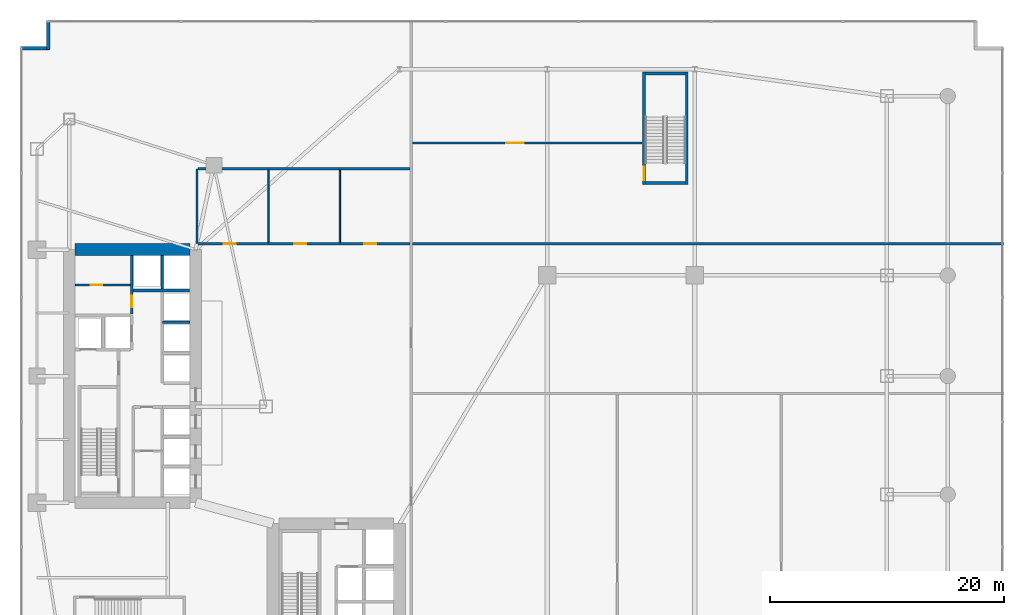
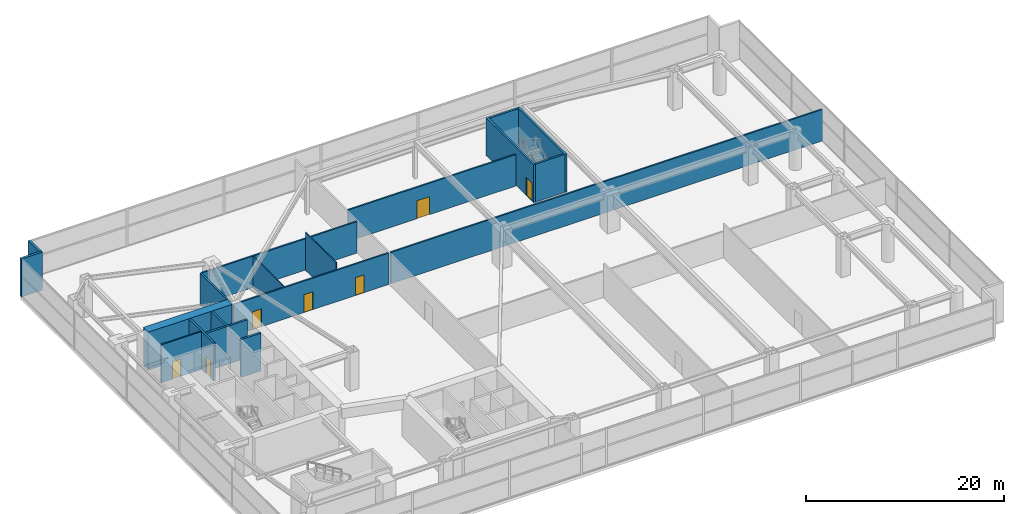
# One storey, part 32 of 35: 19 walls, 7 doors, 7 openings.
"""IFC4 building model written with IfcOpenShell, lengths in metres."""

from ifc_helpers import new_model, si_unit, direction, frame, frame_2d, origin, place, context, subcontext, project, spatial, rectangle, extrude, material, layer, layer_set, type_object, element, fill, save


model = new_model("IFC4")

# Units and contexts
model_context = context("Model", 3, precision=1e-05, world=origin(), true_north=direction((0.0, 1.0)))
body_context = subcontext(model_context, "Body", "Model", "MODEL_VIEW")
ifc_project = project(units=[si_unit("LENGTHUNIT", "METRE"), si_unit("AREAUNIT", "SQUARE_METRE"), si_unit("VOLUMEUNIT", "CUBIC_METRE"), si_unit("PLANEANGLEUNIT", "RADIAN"), si_unit("MASSUNIT", "GRAM", prefix="KILO")], contexts=[model_context])

# Site, building, storey
site_placement = place(None, origin())
site = spatial("IfcSite", under=ifc_project, at=site_placement, CompositionType="ELEMENT")
building_placement = place(site_placement, origin())
building = spatial("IfcBuilding", under=site, at=building_placement, Name="Calvorn Quay Hotel", CompositionType="ELEMENT")
storey_placement = place(building_placement, frame((0.0, 0.0, 12.0)))
storey = spatial("IfcBuildingStorey", under=building, at=storey_placement, Name="L02", CompositionType="ELEMENT", Elevation=12.0)

# Wall
ifc_material_1 = material(Name="Concrete C60", Category="concrete")
ifc_layer_1 = layer(ifc_material_1, 1.0)
ifc_layer_set_1 = layer_set([ifc_layer_1], Name="WL-CORE-1000")
wall_type_1 = type_object("IfcWallType", Name="WL-CORE-1000", PredefinedType="SHEAR", material=ifc_layer_set_1)
wall_1_placement = place(storey_placement, frame((4.699951171875, 38.39990234375, 0.0), z_axis=(0.0, 0.0, 1.0), x_axis=(1.0, 0.0, 0.0)))
element("IfcWall", 1, at=wall_1_placement, inside=storey, type_object=wall_type_1, Name="West Core Shear Wall N (L02)", PredefinedType="SHEAR", context=body_context, shape_type="SweptSolid", body=[
    extrude(rectangle(XDim=9.800048828125, YDim=1.0, at=frame_2d((4.89990234375, 0.0))), origin(), (0.0, 0.0, 1.0), 4.679931640625),
])

# Wall, openings, doors
ifc_material_2 = material(Name="Acoustic Fireboard Steel-Stud Partition", Category="steel")
ifc_layer_2 = layer(ifc_material_2, 0.179931640625)
ifc_layer_set_2 = layer_set([ifc_layer_2], Name="WL-CORR-FIRE-180")
wall_type_2 = type_object("IfcWallType", Name="WL-CORR-FIRE-180", PredefinedType="PARTITIONING", material=ifc_layer_set_2)
wall_2_placement = place(storey_placement, frame((15.199951171875, 38.89990234375, 0.0), z_axis=(0.0, 0.0, 1.0), x_axis=(1.0, 0.0, 0.0)))
wall_2 = element("IfcWall", 2, at=wall_2_placement, inside=storey, type_object=wall_type_2, Name="Partition Wall L02-WL-PWC-S", PredefinedType="PARTITIONING", context=body_context, shape_type="SweptSolid", body=[
    extrude(rectangle(XDim=18.10009765625, YDim=0.179931640625, at=frame_2d((9.050048828125, 0.0))), origin(), (0.0, 0.0, 1.0), 3.8798828125),
])
opening_1_placement = place(wall_2_placement, frame((2.199951171875, 0.0, 0.0)))
opening_1 = element("IfcOpeningElement", 3, at=opening_1_placement, cuts=wall_2, Name="Opening D-L02-WM", PredefinedType="OPENING", context=body_context, shape_type="SweptSolid", body=[
    extrude(rectangle(XDim=1.02001953125, YDim=2.199951171875, at=frame_2d((0.510009765625, 1.10009765625))), frame((0.0, 0.099853515625, 0.0), z_axis=(0.0, -1.0, 0.0), x_axis=(1.0, 0.0, 0.0)), (0.0, 0.0, 1.0), 0.199951171875),
])
opening_2_placement = place(wall_2_placement, frame((8.199951171875, 0.0, 0.0)))
opening_2 = element("IfcOpeningElement", 4, at=opening_2_placement, cuts=wall_2, Name="Opening D-L02-WF", PredefinedType="OPENING", context=body_context, shape_type="SweptSolid", body=[
    extrude(rectangle(XDim=1.02001953125, YDim=2.199951171875, at=frame_2d((0.510009765625, 1.10009765625))), frame((0.0, 0.099853515625, 0.0), z_axis=(0.0, -1.0, 0.0), x_axis=(1.0, 0.0, 0.0)), (0.0, 0.0, 1.0), 0.199951171875),
])
opening_3_placement = place(wall_2_placement, frame((14.199951171875, 0.0, 0.0)))
opening_3 = element("IfcOpeningElement", 5, at=opening_3_placement, cuts=wall_2, Name="Opening D-L02-WA", PredefinedType="OPENING", context=body_context, shape_type="SweptSolid", body=[
    extrude(rectangle(XDim=1.02001953125, YDim=2.199951171875, at=frame_2d((0.510009765625, 1.10009765625))), frame((0.0, 0.099853515625, 0.0), z_axis=(0.0, -1.0, 0.0), x_axis=(1.0, 0.0, 0.0)), (0.0, 0.0, 1.0), 0.199951171875),
])
ifc_material_3 = material(Name="Solid-Core Walnut Veneer Hotel Fire Door")
door_type_1 = type_object("IfcDoorType", Name="DR-GUEST-ENTRY-1020", OperationType="NOTDEFINED", PredefinedType="DOOR", material=ifc_material_3)
door_1_placement = place(opening_1_placement, origin())
door_1 = element("IfcDoor", 6, at=door_1_placement, inside=storey, type_object=door_type_1, Name="Male WC Door", OperationType="SINGLE_SWING_LEFT", OverallHeight=2.199951171875, OverallWidth=1.02001953125, PredefinedType="DOOR", context=body_context, shape_type="SweptSolid", body=[
    extrude(rectangle(XDim=1.02001953125, YDim=2.199951171875, at=frame_2d((0.510009765625, 1.10009765625))), frame((0.0, 0.02490234375, 0.0), z_axis=(0.0, -1.0, 0.0), x_axis=(1.0, 0.0, 0.0)), (0.0, 0.0, 1.0), 0.050048828125),
])
fill(opening_1, door_1)
door_2_placement = place(opening_2_placement, origin())
door_2 = element("IfcDoor", 7, at=door_2_placement, inside=storey, type_object=door_type_1, Name="Female WC Door", OperationType="SINGLE_SWING_RIGHT", OverallHeight=2.199951171875, OverallWidth=1.02001953125, PredefinedType="DOOR", context=body_context, shape_type="SweptSolid", body=[
    extrude(rectangle(XDim=1.02001953125, YDim=2.199951171875, at=frame_2d((0.510009765625, 1.10009765625))), frame((0.0, 0.02490234375, 0.0), z_axis=(0.0, -1.0, 0.0), x_axis=(1.0, 0.0, 0.0)), (0.0, 0.0, 1.0), 0.050048828125),
])
fill(opening_2, door_2)
door_3_placement = place(opening_3_placement, origin())
door_3 = element("IfcDoor", 8, at=door_3_placement, inside=storey, type_object=door_type_1, Name="Accessible WC Door", OperationType="SINGLE_SWING_LEFT", OverallHeight=2.199951171875, OverallWidth=1.02001953125, PredefinedType="DOOR", context=body_context, shape_type="SweptSolid", body=[
    extrude(rectangle(XDim=1.02001953125, YDim=2.199951171875, at=frame_2d((0.510009765625, 1.10009765625))), frame((0.0, 0.02490234375, 0.0), z_axis=(0.0, -1.0, 0.0), x_axis=(1.0, 0.0, 0.0)), (0.0, 0.0, 1.0), 0.050048828125),
])
fill(opening_3, door_3)

# Walls
wall_3_placement = place(storey_placement, frame((15.199951171875, 45.300048828125, 0.0), z_axis=(0.0, 0.0, 1.0), x_axis=(1.0, 0.0, 0.0)))
element("IfcWall", 9, at=wall_3_placement, inside=storey, type_object=wall_type_2, Name="Partition Wall L02-WL-PWC-N", PredefinedType="PARTITIONING", context=body_context, shape_type="SweptSolid", body=[
    extrude(rectangle(XDim=18.10009765625, YDim=0.179931640625, at=frame_2d((9.050048828125, 0.0))), origin(), (0.0, 0.0, 1.0), 3.8798828125),
])
wall_4_placement = place(storey_placement, frame((15.10009765625, 38.89990234375, 0.0), z_axis=(0.0, 0.0, 1.0), x_axis=(0.0, 1.0, 0.0)))
element("IfcWall", 10, at=wall_4_placement, inside=storey, type_object=wall_type_2, Name="Partition Wall L02-WL-PWC-W", PredefinedType="PARTITIONING", context=body_context, shape_type="SweptSolid", body=[
    extrude(rectangle(XDim=6.400146484375, YDim=0.179931640625, at=frame_2d((3.2001953125, 0.0))), origin(), (0.0, 0.0, 1.0), 3.8798828125),
])
wall_5_placement = place(storey_placement, frame((33.52001953125, 38.89990234375, 0.0), z_axis=(0.0, 0.0, 1.0), x_axis=(1.0, 0.0, 0.0)))
element("IfcWall", 11, at=wall_5_placement, inside=storey, type_object=wall_type_2, Name="Partition Wall L02-WL-L02-CF-N", PredefinedType="PARTITIONING", context=body_context, shape_type="SweptSolid", body=[
    extrude(rectangle(XDim=50.419921875, YDim=0.179931640625, at=frame_2d((25.2099609375, 0.0))), origin(), (0.0, 0.0, 1.0), 3.8798828125),
])

# Wall, opening, door
wall_6_placement = place(storey_placement, frame((33.52001953125, 47.5, 0.0), z_axis=(0.0, 0.0, 1.0), x_axis=(1.0, 0.0, 0.0)))
wall_6 = element("IfcWall", 12, at=wall_6_placement, inside=storey, type_object=wall_type_2, Name="Partition Wall L02-WL-L02-BZ-S", PredefinedType="PARTITIONING", context=body_context, shape_type="SweptSolid", body=[
    extrude(rectangle(XDim=19.580078125, YDim=0.179931640625, at=frame_2d((9.7900390625, 0.0))), origin(), (0.0, 0.0, 1.0), 3.8798828125),
])
opening_4_placement = place(wall_6_placement, frame((8.0, 0.0, 0.0)))
opening_4 = element("IfcOpeningElement", 13, at=opening_4_placement, cuts=wall_6, Name="Opening D-L02-04", PredefinedType="OPENING", context=body_context, shape_type="SweptSolid", body=[
    extrude(rectangle(XDim=1.5, YDim=2.219970703125, at=frame_2d((0.75, 1.10986328125))), frame((0.0, 0.099853515625, 0.0), z_axis=(0.0, -1.0, 0.0), x_axis=(1.0, 0.0, 0.0)), (0.0, 0.0, 1.0), 0.199951171875),
])
ifc_material_4 = material(Name="Solid-Core Walnut Double Suite Entry Door")
door_type_2 = type_object("IfcDoorType", Name="DR-SUITE-DBL-1500", OperationType="NOTDEFINED", PredefinedType="DOOR", material=ifc_material_4)
door_4_placement = place(opening_4_placement, origin())
door_4 = element("IfcDoor", 14, at=door_4_placement, inside=storey, type_object=door_type_2, Name="Business Centre Door", OperationType="SINGLE_SWING_LEFT", OverallHeight=2.219970703125, OverallWidth=1.5, PredefinedType="DOOR", context=body_context, shape_type="SweptSolid", body=[
    extrude(rectangle(XDim=1.5, YDim=2.219970703125, at=frame_2d((0.75, 1.10986328125))), frame((0.0, 0.02490234375, 0.0), z_axis=(0.0, -1.0, 0.0), x_axis=(1.0, 0.0, 0.0)), (0.0, 0.0, 1.0), 0.050048828125),
])
fill(opening_4, door_4)

# Walls
ifc_material_5 = material(Name="Moisture-Resistant Tile-Backed Partition")
ifc_layer_3 = layer(ifc_material_5, 0.125)
ifc_layer_set_3 = layer_set([ifc_layer_3], Name="WL-ENSUITE-125")
wall_type_3 = type_object("IfcWallType", Name="WL-ENSUITE-125", PredefinedType="PARTITIONING", material=ifc_layer_set_3)
wall_7_placement = place(storey_placement, frame((21.199951171875, 39.0, 0.0), z_axis=(0.0, 0.0, 1.0), x_axis=(0.0, 1.0, 0.0)))
element("IfcWall", 15, at=wall_7_placement, inside=storey, type_object=wall_type_3, Name="Partition Wall L02-WL-PWC-D1", PredefinedType="PARTITIONING", context=body_context, shape_type="SweptSolid", body=[
    extrude(rectangle(XDim=6.199951171875, YDim=0.125, at=frame_2d((3.10009765625, 0.0))), origin(), (0.0, 0.0, 1.0), 3.8798828125),
])
wall_8_placement = place(storey_placement, frame((27.300048828125, 39.0, 0.0), z_axis=(0.0, 0.0, 1.0), x_axis=(0.0, 1.0, 0.0)))
element("IfcWall", 16, at=wall_8_placement, inside=storey, type_object=wall_type_3, Name="Partition Wall L02-WL-PWC-D2", PredefinedType="PARTITIONING", context=body_context, shape_type="SweptSolid", body=[
    extrude(rectangle(XDim=6.199951171875, YDim=0.125, at=frame_2d((3.10009765625, 0.0))), origin(), (0.0, 0.0, 1.0), 4.679931640625),
])
ifc_material_6 = material(Name="Concrete C40", Category="concrete")
ifc_layer_4 = layer(ifc_material_6, 0.320068359375)
ifc_layer_set_4 = layer_set([ifc_layer_4], Name="WL-EXT-SPANDREL-320")
wall_type_4 = type_object("IfcWallType", Name="WL-EXT-SPANDREL-320", PredefinedType="SOLIDWALL", material=ifc_layer_set_4)
for number, where, z_axis, x_axis, name in (
    (17, (2.39990234375, 57.9599609375, 0.0), (0.0, 0.0, 1.0), (0.0, -1.0, 0.0), "Podium Notched Corner Wall L02-NW1"),
    (18, (2.5, 55.60009765625, 0.0), (0.0, 0.0, 1.0), (-1.0, 0.0, 0.0), "Podium Notched Corner Wall L02-NW2"),
):
    element("IfcWall", number, at=place(storey_placement, frame(where, z_axis=z_axis, x_axis=x_axis)), inside=storey, type_object=wall_type_4, Name=name, PredefinedType="SOLIDWALL", context=body_context, shape_type="SweptSolid", body=[
        extrude(rectangle(XDim=2.4599609375, YDim=0.280029296875, at=frame_2d((1.22998046875, 0.0))), origin(), (0.0, 0.0, 1.0), 4.679931640625),
    ])

# Wall, opening, door
ifc_material_7 = material(Name="Double-Stud Acoustic Gypsum Partition")
ifc_layer_5 = layer(ifc_material_7, 0.159912109375)
ifc_layer_set_5 = layer_set([ifc_layer_5], Name="WL-INTERSUITE-160")
wall_type_5 = type_object("IfcWallType", Name="WL-INTERSUITE-160", PredefinedType="PARTITIONING", material=ifc_layer_set_5)
wall_9_placement = place(storey_placement, frame((4.719970703125, 35.3798828125, 0.0), z_axis=(0.0, 0.0, 1.0), x_axis=(1.0, 0.0, 0.0)))
wall_9 = element("IfcWall", 19, at=wall_9_placement, inside=storey, type_object=wall_type_5, Name="Partition Wall L02-WL-CWW-K-MID", PredefinedType="PARTITIONING", context=body_context, shape_type="SweptSolid", body=[
    extrude(rectangle(XDim=4.699951171875, YDim=0.159912109375, at=frame_2d((2.35009765625, 0.0))), origin(), (0.0, 0.0, 1.0), 4.679931640625),
])
opening_5_placement = place(wall_9_placement, frame((1.300048828125, 0.0, 0.0)))
opening_5 = element("IfcOpeningElement", 20, at=opening_5_placement, cuts=wall_9, Name="Opening D-L02-CK2", PredefinedType="OPENING", context=body_context, shape_type="SweptSolid", body=[
    extrude(rectangle(XDim=0.97998046875, YDim=2.14990234375, at=frame_2d((0.489990234375, 1.074951171875))), frame((0.0, 0.08984375, 0.0), z_axis=(0.0, -1.0, 0.0), x_axis=(1.0, 0.0, 0.0)), (0.0, 0.0, 1.0), 0.179931640625),
])
ifc_material_8 = material(Name="Painted Steel Housekeeping/Riser Fire Door", Category="steel")
door_type_3 = type_object("IfcDoorType", Name="DR-SERVICE-980", OperationType="NOTDEFINED", PredefinedType="DOOR", material=ifc_material_8)
door_5_placement = place(opening_5_placement, origin())
door_5 = element("IfcDoor", 21, at=door_5_placement, inside=storey, type_object=door_type_3, Name="Electrical Riser Door (L02)", OperationType="SINGLE_SWING_RIGHT", OverallHeight=2.14990234375, OverallWidth=0.97998046875, PredefinedType="DOOR", context=body_context, shape_type="SweptSolid", body=[
    extrude(rectangle(XDim=0.97998046875, YDim=2.14990234375, at=frame_2d((0.489990234375, 1.074951171875))), frame((0.0, 0.02490234375, 0.0), z_axis=(0.0, -1.0, 0.0), x_axis=(1.0, 0.0, 0.0)), (0.0, 0.0, 1.0), 0.050048828125),
])
fill(opening_5, door_5)

ifc_material_9 = material(Name="Autoclaved Aerated Masonry Block", Category="masonry")
ifc_layer_6 = layer(ifc_material_9, 0.219970703125)
ifc_layer_set_6 = layer_set([ifc_layer_6], Name="WL-LOBBY-FIRE-220")
wall_type_6 = type_object("IfcWallType", Name="WL-LOBBY-FIRE-220", PredefinedType="SOLIDWALL", material=ifc_layer_set_6)
wall_10_placement = place(storey_placement, frame((9.5400390625, 32.919921875, 0.0), z_axis=(0.0, 0.0, 1.0), x_axis=(0.0, 1.0, 0.0)))
wall_10 = element("IfcWall", 22, at=wall_10_placement, inside=storey, type_object=wall_type_6, Name="Partition Wall L02-WL-CWW-K-E", PredefinedType="SOLIDWALL", context=body_context, shape_type="SweptSolid", body=[
    extrude(rectangle(XDim=4.9599609375, YDim=0.219970703125, at=frame_2d((2.47998046875, 0.0))), origin(), (0.0, 0.0, 1.0), 4.679931640625),
])
opening_6_placement = place(wall_10_placement, frame((0.550048828125, 0.0, 0.0)))
opening_6 = element("IfcOpeningElement", 23, at=opening_6_placement, cuts=wall_10, Name="Opening D-L02-CK1", PredefinedType="OPENING", context=body_context, shape_type="SweptSolid", body=[
    extrude(rectangle(XDim=0.97998046875, YDim=2.14990234375, at=frame_2d((0.489990234375, 1.074951171875))), frame((0.0, 0.119873046875, 0.0), z_axis=(0.0, -1.0, 0.0), x_axis=(1.0, 0.0, 0.0)), (0.0, 0.0, 1.0), 0.239990234375),
])
door_6_placement = place(opening_6_placement, origin())
door_6 = element("IfcDoor", 24, at=door_6_placement, inside=storey, type_object=door_type_3, Name="Core Housekeeping Door (L02)", OperationType="SINGLE_SWING_LEFT", OverallHeight=2.14990234375, OverallWidth=0.97998046875, PredefinedType="DOOR", context=body_context, shape_type="SweptSolid", body=[
    extrude(rectangle(XDim=0.97998046875, YDim=2.14990234375, at=frame_2d((0.489990234375, 1.074951171875))), frame((0.0, 0.02490234375, 0.0), z_axis=(0.0, -1.0, 0.0), x_axis=(1.0, 0.0, 0.0)), (0.0, 0.0, 1.0), 0.050048828125),
])
fill(opening_6, door_6)

ifc_material_10 = material(Name="Concrete C40", Category="concrete")
ifc_layer_7 = layer(ifc_material_10, 0.239990234375)
ifc_layer_set_7 = layer_set([ifc_layer_7], Name="WL-SHAFT-240")
wall_type_7 = type_object("IfcWallType", Name="WL-SHAFT-240", PredefinedType="SOLIDWALL", material=ifc_layer_set_7)
wall_11_placement = place(storey_placement, frame((53.280029296875, 43.9599609375, 0.0), z_axis=(0.0, 0.0, 1.0), x_axis=(0.0, 1.0, 0.0)))
wall_11 = element("IfcWall", 25, at=wall_11_placement, inside=storey, type_object=wall_type_7, Name="Stair STP1 Shaft Wall W (L02)", PredefinedType="SOLIDWALL", context=body_context, shape_type="SweptSolid", body=[
    extrude(rectangle(XDim=9.580078125, YDim=0.239990234375, at=frame_2d((4.7900390625, 0.0))), origin(), (0.0, 0.0, 1.0), 4.679931640625),
])
opening_7_placement = place(wall_11_placement, frame((0.35009765625, 0.0, 0.0)))
opening_7 = element("IfcOpeningElement", 26, at=opening_7_placement, cuts=wall_11, Name="Opening D-L02-STP1", PredefinedType="OPENING", context=body_context, shape_type="SweptSolid", body=[
    extrude(rectangle(XDim=1.14990234375, YDim=2.199951171875, at=frame_2d((0.574951171875, 1.10009765625))), frame((0.0, 0.1298828125, 0.0), z_axis=(0.0, -1.0, 0.0), x_axis=(1.0, 0.0, 0.0)), (0.0, 0.0, 1.0), 0.260009765625),
])
ifc_material_11 = material(Name="Galvanised Steel Class A Fire Door", Category="steel")
door_type_4 = type_object("IfcDoorType", Name="DR-STAIR-SMOKE-1150", OperationType="NOTDEFINED", PredefinedType="DOOR", material=ifc_material_11)
door_7_placement = place(opening_7_placement, origin())
door_7 = element("IfcDoor", 27, at=door_7_placement, inside=storey, type_object=door_type_4, Name="Podium Stair ST-P1 Fire Door (L02)", OperationType="SINGLE_SWING_LEFT", OverallHeight=2.199951171875, OverallWidth=1.14990234375, PredefinedType="DOOR", context=body_context, shape_type="SweptSolid", body=[
    extrude(rectangle(XDim=1.14990234375, YDim=2.199951171875, at=frame_2d((0.574951171875, 1.10009765625))), frame((0.0, 0.02490234375, 0.0), z_axis=(0.0, -1.0, 0.0), x_axis=(1.0, 0.0, 0.0)), (0.0, 0.0, 1.0), 0.050048828125),
])
fill(opening_7, door_7)

# Walls
wall_12_placement = place(storey_placement, frame((56.919921875, 43.9599609375, 0.0), z_axis=(0.0, 0.0, 1.0), x_axis=(0.0, 1.0, 0.0)))
element("IfcWall", 28, at=wall_12_placement, inside=storey, type_object=wall_type_7, Name="Stair STP1 Shaft Wall E (L02)", PredefinedType="SOLIDWALL", context=body_context, shape_type="SweptSolid", body=[
    extrude(rectangle(XDim=9.580078125, YDim=0.239990234375, at=frame_2d((4.7900390625, 0.0))), origin(), (0.0, 0.0, 1.0), 4.679931640625),
])
for number, where, z_axis, x_axis, name in (
    (29, (53.39990234375, 44.080078125, 0.0), (0.0, 0.0, 1.0), (1.0, 0.0, 0.0), "Stair STP1 Shaft Wall S (L02)"),
    (30, (53.39990234375, 53.419921875, 0.0), (0.0, 0.0, 1.0), (1.0, 0.0, 0.0), "Stair STP1 Shaft Wall N (L02)"),
):
    element("IfcWall", number, at=place(storey_placement, frame(where, z_axis=z_axis, x_axis=x_axis)), inside=storey, type_object=wall_type_7, Name=name, PredefinedType="SOLIDWALL", context=body_context, shape_type="SweptSolid", body=[
        extrude(rectangle(XDim=3.400146484375, YDim=0.239990234375, at=frame_2d((1.7001953125, 0.0))), origin(), (0.0, 0.0, 1.0), 4.679931640625),
    ])
wall_13_placement = place(storey_placement, frame((12.179931640625, 32.199951171875, 0.0), z_axis=(0.0, 0.0, 1.0), x_axis=(1.0, 0.0, 0.0)))
element("IfcWall", 31, at=wall_13_placement, inside=storey, type_object=wall_type_7, Name="Lift Hoistway Divider Wall PLM23 (L02)", PredefinedType="SOLIDWALL", context=body_context, shape_type="SweptSolid", body=[
    extrude(rectangle(XDim=2.320068359375, YDim=0.239990234375, at=frame_2d((1.16015625, 0.0))), origin(), (0.0, 0.0, 1.0), 4.679931640625),
])
wall_14_placement = place(storey_placement, frame((9.659912109375, 34.89990234375, 0.0), z_axis=(0.0, 0.0, 1.0), x_axis=(1.0, 0.0, 0.0)))
element("IfcWall", 32, at=wall_14_placement, inside=storey, type_object=wall_type_7, Name="Partition Wall L02-WL-CWW-PLH-S", PredefinedType="SOLIDWALL", context=body_context, shape_type="SweptSolid", body=[
    extrude(rectangle(XDim=4.820068359375, YDim=0.239990234375, at=frame_2d((2.41015625, 0.0))), origin(), (0.0, 0.0, 1.0), 4.679931640625),
])
wall_15_placement = place(storey_placement, frame((12.14990234375, 35.02001953125, 0.0), z_axis=(0.0, 0.0, 1.0), x_axis=(0.0, 1.0, 0.0)))
element("IfcWall", 33, at=wall_15_placement, inside=storey, type_object=wall_type_7, Name="Partition Wall L02-WL-CWW-PLH-DIV", PredefinedType="SOLIDWALL", context=body_context, shape_type="SweptSolid", body=[
    extrude(rectangle(XDim=2.85986328125, YDim=0.239990234375, at=frame_2d((1.429931640625, 0.0))), origin(), (0.0, 0.0, 1.0), 4.679931640625),
])

save(model, "model.ifc")
